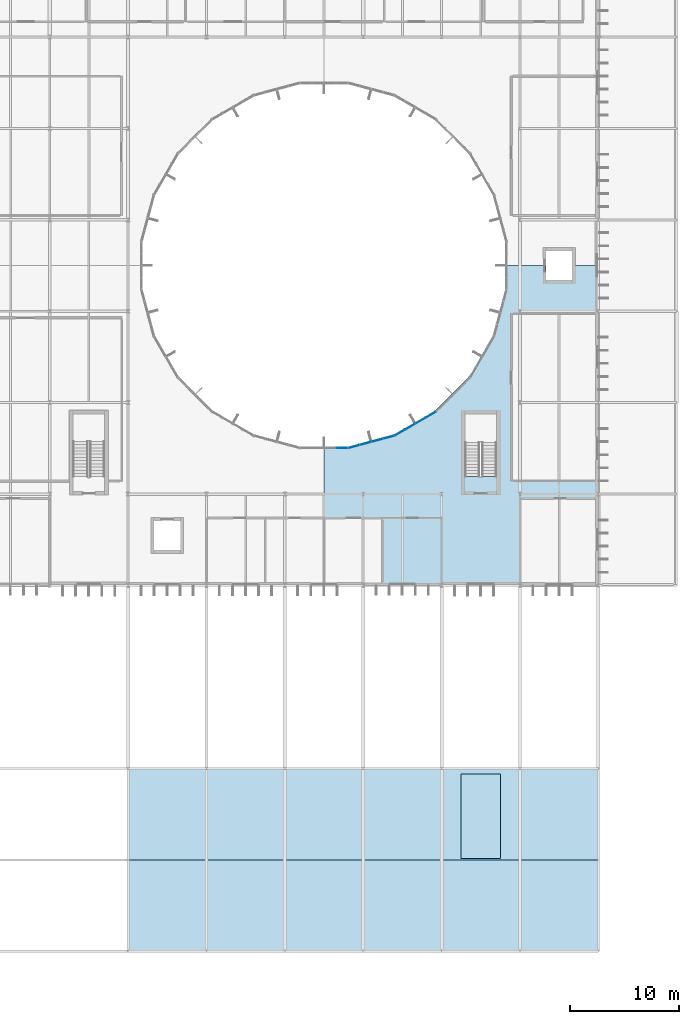
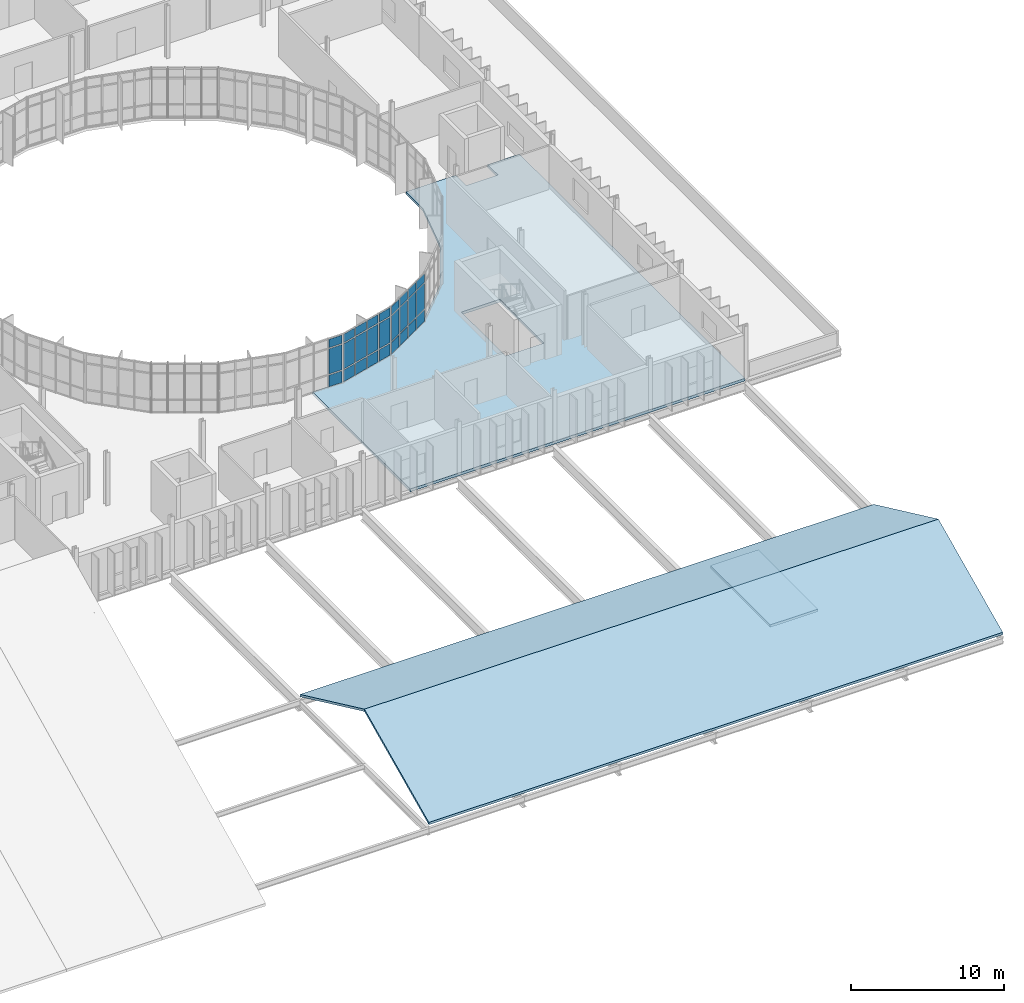
# One storey, part 66 of 99: 27 plates, 4 slabs, 3 elements without a shape of their own.
"""IFC4 building model written with IfcOpenShell, lengths in metres."""

from ifc_helpers import new_model, si_unit, direction, frame, origin, origin_2d, place, context, subcontext, project, spatial, polyline, rectangle, outline, extrude, material, layer, layer_set, type_object, element, aggregate, save


model = new_model("IFC4")

# Units and contexts
model_context = context("Model", 3, precision=1e-05, world=origin(), true_north=direction((0.0, 1.0)))
body_context = subcontext(model_context, "Body", "Model", "MODEL_VIEW")
ifc_project = project(units=[si_unit("LENGTHUNIT", "METRE"), si_unit("AREAUNIT", "SQUARE_METRE"), si_unit("VOLUMEUNIT", "CUBIC_METRE"), si_unit("PLANEANGLEUNIT", "RADIAN"), si_unit("MASSUNIT", "GRAM", prefix="KILO")], contexts=[model_context])

# Site, building, storey
site_placement = place(None, origin())
site = spatial("IfcSite", under=ifc_project, at=site_placement, CompositionType="ELEMENT")
building_placement = place(site_placement, origin())
building = spatial("IfcBuilding", under=site, at=building_placement, Name="Qelthora Terrace Specialist Clinic", CompositionType="ELEMENT")
storey_placement = place(building_placement, frame((0.0, 0.0, 9.0)))
storey = spatial("IfcBuildingStorey", under=building, at=storey_placement, Name="L02", CompositionType="ELEMENT", Elevation=9.0)

# Curtain wall, plates
ifc_material_1 = material(Name="Aluminium anodized bronze", Category="aluminium")
curtain_wall_type = type_object("IfcCurtainWallType", Name="CW-CRTE-UPP", PredefinedType="NOTDEFINED", material=ifc_material_1)
curtain_wall_1_placement = place(storey_placement, origin())
curtain_wall_1 = element("IfcCurtainWall", 1, at=curtain_wall_1_placement, inside=storey, type_object=curtain_wall_type, Name="Curtain wall CW-CE-L02-18", PredefinedType="NOTDEFINED")
ifc_material_2 = material(Name="Low-E triple-silver insulating glass", Category="glass")
ifc_layer_1 = layer(ifc_material_2, 0.035888671875)
ifc_layer_set_1 = layer_set([ifc_layer_1], Name="Low-E triple-silver insulating glass")
plate_type = type_object("IfcPlateType", Name="CWP-IGU-36", PredefinedType="CURTAIN_PANEL", material=ifc_layer_set_1)
plate_1_placement = place(storey_placement, frame((127.64453125, 46.2236328125, 0.0849609375), z_axis=(0.0, 0.0, 1.0), x_axis=(1.0, 0.0, 0.0)))
plate_1 = element("IfcPlate", 2, at=plate_1_placement, type_object=plate_type, Name="CW-CE-L02-18 glazed panel 10", PredefinedType="CURTAIN_PANEL", context=body_context, shape_type="SweptSolid", body=[
    extrude(rectangle(XDim=0.996337890625, YDim=0.035888671875, at=origin_2d()), origin(), (0.0, 0.0, 1.0), 0.919921875),
])
plate_2_placement = place(storey_placement, frame((127.64453125, 46.2236328125, 1.094970703125), z_axis=(0.0, 0.0, 1.0), x_axis=(1.0, 0.0, 0.0)))
plate_2 = element("IfcPlate", 3, at=plate_2_placement, type_object=plate_type, Name="CW-CE-L02-18 glazed panel 11", PredefinedType="CURTAIN_PANEL", context=body_context, shape_type="SweptSolid", body=[
    extrude(rectangle(XDim=0.996337890625, YDim=0.035888671875, at=origin_2d()), origin(), (0.0, 0.0, 1.0), 2.0048828125),
])
plate_3_placement = place(storey_placement, frame((127.64453125, 46.2236328125, 3.18994140625), z_axis=(0.0, 0.0, 1.0), x_axis=(1.0, 0.0, 0.0)))
plate_3 = element("IfcPlate", 4, at=plate_3_placement, type_object=plate_type, Name="CW-CE-L02-18 glazed panel 12", PredefinedType="CURTAIN_PANEL", context=body_context, shape_type="SweptSolid", body=[
    extrude(rectangle(XDim=0.996337890625, YDim=0.035888671875, at=origin_2d()), origin(), (0.0, 0.0, 1.0), 0.669921875),
])
aggregate(curtain_wall_1, [plate_1, plate_2, plate_3])

curtain_wall_2_placement = place(storey_placement, origin())
curtain_wall_2 = element("IfcCurtainWall", 5, at=curtain_wall_2_placement, inside=storey, type_object=curtain_wall_type, Name="Curtain wall CW-CE-L02-19", PredefinedType="NOTDEFINED")
plate_4_placement = place(storey_placement, frame((128.75341796875, 46.36962890625, 0.0849609375), z_axis=(0.0, 0.0, 1.0), x_axis=(0.965925826289, 0.258819045103, 0.0)))
plate_4 = element("IfcPlate", 6, at=plate_4_placement, type_object=plate_type, Name="CW-CE-L02-19 glazed panel 1", PredefinedType="CURTAIN_PANEL", context=body_context, shape_type="SweptSolid", body=[
    extrude(rectangle(XDim=0.996337890625, YDim=0.035888671875, at=origin_2d()), origin(), (0.0, 0.0, 1.0), 0.919921875),
])
plate_5_placement = place(storey_placement, frame((128.75341796875, 46.36962890625, 1.094970703125), z_axis=(0.0, 0.0, 1.0), x_axis=(0.965925826289, 0.258819045103, 0.0)))
plate_5 = element("IfcPlate", 7, at=plate_5_placement, type_object=plate_type, Name="CW-CE-L02-19 glazed panel 2", PredefinedType="CURTAIN_PANEL", context=body_context, shape_type="SweptSolid", body=[
    extrude(rectangle(XDim=0.996337890625, YDim=0.035888671875, at=origin_2d()), origin(), (0.0, 0.0, 1.0), 2.0048828125),
])
plate_6_placement = place(storey_placement, frame((128.75341796875, 46.36962890625, 3.18994140625), z_axis=(0.0, 0.0, 1.0), x_axis=(0.965925826289, 0.258819045103, 0.0)))
plate_6 = element("IfcPlate", 8, at=plate_6_placement, type_object=plate_type, Name="CW-CE-L02-19 glazed panel 3", PredefinedType="CURTAIN_PANEL", context=body_context, shape_type="SweptSolid", body=[
    extrude(rectangle(XDim=0.996337890625, YDim=0.035888671875, at=origin_2d()), origin(), (0.0, 0.0, 1.0), 0.669921875),
])
plate_7_placement = place(storey_placement, frame((129.8125, 46.653564453125, 0.0849609375), z_axis=(0.0, 0.0, 1.0), x_axis=(0.965925826289, 0.258819045103, 0.0)))
plate_7 = element("IfcPlate", 9, at=plate_7_placement, type_object=plate_type, Name="CW-CE-L02-19 glazed panel 4", PredefinedType="CURTAIN_PANEL", context=body_context, shape_type="SweptSolid", body=[
    extrude(rectangle(XDim=0.996337890625, YDim=0.035888671875, at=origin_2d()), origin(), (0.0, 0.0, 1.0), 0.919921875),
])
plate_8_placement = place(storey_placement, frame((129.8125, 46.653564453125, 1.094970703125), z_axis=(0.0, 0.0, 1.0), x_axis=(0.965925826289, 0.258819045103, 0.0)))
plate_8 = element("IfcPlate", 10, at=plate_8_placement, type_object=plate_type, Name="CW-CE-L02-19 glazed panel 5", PredefinedType="CURTAIN_PANEL", context=body_context, shape_type="SweptSolid", body=[
    extrude(rectangle(XDim=0.996337890625, YDim=0.035888671875, at=origin_2d()), origin(), (0.0, 0.0, 1.0), 2.0048828125),
])
plate_9_placement = place(storey_placement, frame((129.8125, 46.653564453125, 3.18994140625), z_axis=(0.0, 0.0, 1.0), x_axis=(0.965925826289, 0.258819045103, 0.0)))
plate_9 = element("IfcPlate", 11, at=plate_9_placement, type_object=plate_type, Name="CW-CE-L02-19 glazed panel 6", PredefinedType="CURTAIN_PANEL", context=body_context, shape_type="SweptSolid", body=[
    extrude(rectangle(XDim=0.996337890625, YDim=0.035888671875, at=origin_2d()), origin(), (0.0, 0.0, 1.0), 0.669921875),
])
plate_10_placement = place(storey_placement, frame((130.87158203125, 46.937255859375, 0.0849609375), z_axis=(0.0, 0.0, 1.0), x_axis=(0.965925826289, 0.258819045103, 0.0)))
plate_10 = element("IfcPlate", 12, at=plate_10_placement, type_object=plate_type, Name="CW-CE-L02-19 glazed panel 7", PredefinedType="CURTAIN_PANEL", context=body_context, shape_type="SweptSolid", body=[
    extrude(rectangle(XDim=0.996337890625, YDim=0.035888671875, at=origin_2d()), origin(), (0.0, 0.0, 1.0), 0.919921875),
])
plate_11_placement = place(storey_placement, frame((130.87158203125, 46.937255859375, 1.094970703125), z_axis=(0.0, 0.0, 1.0), x_axis=(0.965925826289, 0.258819045103, 0.0)))
plate_11 = element("IfcPlate", 13, at=plate_11_placement, type_object=plate_type, Name="CW-CE-L02-19 glazed panel 8", PredefinedType="CURTAIN_PANEL", context=body_context, shape_type="SweptSolid", body=[
    extrude(rectangle(XDim=0.996337890625, YDim=0.035888671875, at=origin_2d()), origin(), (0.0, 0.0, 1.0), 2.0048828125),
])
plate_12_placement = place(storey_placement, frame((130.87158203125, 46.937255859375, 3.18994140625), z_axis=(0.0, 0.0, 1.0), x_axis=(0.965925826289, 0.258819045103, 0.0)))
plate_12 = element("IfcPlate", 14, at=plate_12_placement, type_object=plate_type, Name="CW-CE-L02-19 glazed panel 9", PredefinedType="CURTAIN_PANEL", context=body_context, shape_type="SweptSolid", body=[
    extrude(rectangle(XDim=0.996337890625, YDim=0.035888671875, at=origin_2d()), origin(), (0.0, 0.0, 1.0), 0.669921875),
])
plate_13_placement = place(storey_placement, frame((131.9306640625, 47.220947265625, 0.0849609375), z_axis=(0.0, 0.0, 1.0), x_axis=(0.965925826289, 0.258819045103, 0.0)))
plate_13 = element("IfcPlate", 15, at=plate_13_placement, type_object=plate_type, Name="CW-CE-L02-19 glazed panel 10", PredefinedType="CURTAIN_PANEL", context=body_context, shape_type="SweptSolid", body=[
    extrude(rectangle(XDim=0.996337890625, YDim=0.035888671875, at=origin_2d()), origin(), (0.0, 0.0, 1.0), 0.919921875),
])
plate_14_placement = place(storey_placement, frame((131.9306640625, 47.220947265625, 1.094970703125), z_axis=(0.0, 0.0, 1.0), x_axis=(0.965925826289, 0.258819045103, 0.0)))
plate_14 = element("IfcPlate", 16, at=plate_14_placement, type_object=plate_type, Name="CW-CE-L02-19 glazed panel 11", PredefinedType="CURTAIN_PANEL", context=body_context, shape_type="SweptSolid", body=[
    extrude(rectangle(XDim=0.996337890625, YDim=0.035888671875, at=origin_2d()), origin(), (0.0, 0.0, 1.0), 2.0048828125),
])
plate_15_placement = place(storey_placement, frame((131.9306640625, 47.220947265625, 3.18994140625), z_axis=(0.0, 0.0, 1.0), x_axis=(0.965925826289, 0.258819045103, 0.0)))
plate_15 = element("IfcPlate", 17, at=plate_15_placement, type_object=plate_type, Name="CW-CE-L02-19 glazed panel 12", PredefinedType="CURTAIN_PANEL", context=body_context, shape_type="SweptSolid", body=[
    extrude(rectangle(XDim=0.996337890625, YDim=0.035888671875, at=origin_2d()), origin(), (0.0, 0.0, 1.0), 0.669921875),
])
aggregate(curtain_wall_2, [plate_4, plate_5, plate_6, plate_7, plate_8, plate_9, plate_10, plate_11, plate_12, plate_13, plate_14, plate_15])

curtain_wall_3_placement = place(storey_placement, origin())
curtain_wall_3 = element("IfcCurtainWall", 18, at=curtain_wall_3_placement, inside=storey, type_object=curtain_wall_type, Name="Curtain wall CW-CE-L02-20", PredefinedType="NOTDEFINED")
plate_16_placement = place(storey_placement, frame((132.9638671875, 47.64892578125, 0.0849609375), z_axis=(0.0, 0.0, 1.0), x_axis=(0.866025403784, 0.5, 0.0)))
plate_16 = element("IfcPlate", 19, at=plate_16_placement, type_object=plate_type, Name="CW-CE-L02-20 glazed panel 1", PredefinedType="CURTAIN_PANEL", context=body_context, shape_type="SweptSolid", body=[
    extrude(rectangle(XDim=0.996337890625, YDim=0.035888671875, at=origin_2d()), origin(), (0.0, 0.0, 1.0), 0.919921875),
])
plate_17_placement = place(storey_placement, frame((132.9638671875, 47.64892578125, 1.094970703125), z_axis=(0.0, 0.0, 1.0), x_axis=(0.866025403784, 0.5, 0.0)))
plate_17 = element("IfcPlate", 20, at=plate_17_placement, type_object=plate_type, Name="CW-CE-L02-20 glazed panel 2", PredefinedType="CURTAIN_PANEL", context=body_context, shape_type="SweptSolid", body=[
    extrude(rectangle(XDim=0.996337890625, YDim=0.035888671875, at=origin_2d()), origin(), (0.0, 0.0, 1.0), 2.0048828125),
])
plate_18_placement = place(storey_placement, frame((132.9638671875, 47.64892578125, 3.18994140625), z_axis=(0.0, 0.0, 1.0), x_axis=(0.866025403784, 0.5, 0.0)))
plate_18 = element("IfcPlate", 21, at=plate_18_placement, type_object=plate_type, Name="CW-CE-L02-20 glazed panel 3", PredefinedType="CURTAIN_PANEL", context=body_context, shape_type="SweptSolid", body=[
    extrude(rectangle(XDim=0.996337890625, YDim=0.035888671875, at=origin_2d()), origin(), (0.0, 0.0, 1.0), 0.669921875),
])
plate_19_placement = place(storey_placement, frame((133.913330078125, 48.197265625, 0.0849609375), z_axis=(0.0, 0.0, 1.0), x_axis=(0.866025403784, 0.5, 0.0)))
plate_19 = element("IfcPlate", 22, at=plate_19_placement, type_object=plate_type, Name="CW-CE-L02-20 glazed panel 4", PredefinedType="CURTAIN_PANEL", context=body_context, shape_type="SweptSolid", body=[
    extrude(rectangle(XDim=0.996337890625, YDim=0.035888671875, at=origin_2d()), origin(), (0.0, 0.0, 1.0), 0.919921875),
])
plate_20_placement = place(storey_placement, frame((133.913330078125, 48.197265625, 1.094970703125), z_axis=(0.0, 0.0, 1.0), x_axis=(0.866025403784, 0.5, 0.0)))
plate_20 = element("IfcPlate", 23, at=plate_20_placement, type_object=plate_type, Name="CW-CE-L02-20 glazed panel 5", PredefinedType="CURTAIN_PANEL", context=body_context, shape_type="SweptSolid", body=[
    extrude(rectangle(XDim=0.996337890625, YDim=0.035888671875, at=origin_2d()), origin(), (0.0, 0.0, 1.0), 2.0048828125),
])
plate_21_placement = place(storey_placement, frame((133.913330078125, 48.197265625, 3.18994140625), z_axis=(0.0, 0.0, 1.0), x_axis=(0.866025403784, 0.5, 0.0)))
plate_21 = element("IfcPlate", 24, at=plate_21_placement, type_object=plate_type, Name="CW-CE-L02-20 glazed panel 6", PredefinedType="CURTAIN_PANEL", context=body_context, shape_type="SweptSolid", body=[
    extrude(rectangle(XDim=0.996337890625, YDim=0.035888671875, at=origin_2d()), origin(), (0.0, 0.0, 1.0), 0.669921875),
])
plate_22_placement = place(storey_placement, frame((134.86279296875, 48.745361328125, 0.0849609375), z_axis=(0.0, 0.0, 1.0), x_axis=(0.866025403784, 0.5, 0.0)))
plate_22 = element("IfcPlate", 25, at=plate_22_placement, type_object=plate_type, Name="CW-CE-L02-20 glazed panel 7", PredefinedType="CURTAIN_PANEL", context=body_context, shape_type="SweptSolid", body=[
    extrude(rectangle(XDim=0.996337890625, YDim=0.035888671875, at=origin_2d()), origin(), (0.0, 0.0, 1.0), 0.919921875),
])
plate_23_placement = place(storey_placement, frame((134.86279296875, 48.745361328125, 1.094970703125), z_axis=(0.0, 0.0, 1.0), x_axis=(0.866025403784, 0.5, 0.0)))
plate_23 = element("IfcPlate", 26, at=plate_23_placement, type_object=plate_type, Name="CW-CE-L02-20 glazed panel 8", PredefinedType="CURTAIN_PANEL", context=body_context, shape_type="SweptSolid", body=[
    extrude(rectangle(XDim=0.996337890625, YDim=0.035888671875, at=origin_2d()), origin(), (0.0, 0.0, 1.0), 2.0048828125),
])
plate_24_placement = place(storey_placement, frame((134.86279296875, 48.745361328125, 3.18994140625), z_axis=(0.0, 0.0, 1.0), x_axis=(0.866025403784, 0.5, 0.0)))
plate_24 = element("IfcPlate", 27, at=plate_24_placement, type_object=plate_type, Name="CW-CE-L02-20 glazed panel 9", PredefinedType="CURTAIN_PANEL", context=body_context, shape_type="SweptSolid", body=[
    extrude(rectangle(XDim=0.996337890625, YDim=0.035888671875, at=origin_2d()), origin(), (0.0, 0.0, 1.0), 0.669921875),
])
plate_25_placement = place(storey_placement, frame((135.8125, 49.293701171875, 0.0849609375), z_axis=(0.0, 0.0, 1.0), x_axis=(0.866025403784, 0.5, 0.0)))
plate_25 = element("IfcPlate", 28, at=plate_25_placement, type_object=plate_type, Name="CW-CE-L02-20 glazed panel 10", PredefinedType="CURTAIN_PANEL", context=body_context, shape_type="SweptSolid", body=[
    extrude(rectangle(XDim=0.996337890625, YDim=0.035888671875, at=origin_2d()), origin(), (0.0, 0.0, 1.0), 0.919921875),
])
plate_26_placement = place(storey_placement, frame((135.8125, 49.293701171875, 1.094970703125), z_axis=(0.0, 0.0, 1.0), x_axis=(0.866025403784, 0.5, 0.0)))
plate_26 = element("IfcPlate", 29, at=plate_26_placement, type_object=plate_type, Name="CW-CE-L02-20 glazed panel 11", PredefinedType="CURTAIN_PANEL", context=body_context, shape_type="SweptSolid", body=[
    extrude(rectangle(XDim=0.996337890625, YDim=0.035888671875, at=origin_2d()), origin(), (0.0, 0.0, 1.0), 2.0048828125),
])
plate_27_placement = place(storey_placement, frame((135.8125, 49.293701171875, 3.18994140625), z_axis=(0.0, 0.0, 1.0), x_axis=(0.866025403784, 0.5, 0.0)))
plate_27 = element("IfcPlate", 30, at=plate_27_placement, type_object=plate_type, Name="CW-CE-L02-20 glazed panel 12", PredefinedType="CURTAIN_PANEL", context=body_context, shape_type="SweptSolid", body=[
    extrude(rectangle(XDim=0.996337890625, YDim=0.035888671875, at=origin_2d()), origin(), (0.0, 0.0, 1.0), 0.669921875),
])
aggregate(curtain_wall_3, [plate_16, plate_17, plate_18, plate_19, plate_20, plate_21, plate_22, plate_23, plate_24, plate_25, plate_26, plate_27])

# Slabs
ifc_material_3 = material(Name="Concrete C30/37", Category="concrete")
ifc_layer_2 = layer(ifc_material_3, 0.219970703125)
ifc_layer_set_2 = layer_set([ifc_layer_2], Name="Concrete C30/37")
slab_type_1 = type_object("IfcSlabType", Name="SLB-FLR-220-C30", PredefinedType="FLOOR", material=ifc_layer_set_2)
slab_1_placement = place(storey_placement, frame((0.0, 0.0, -0.219970703125)))
element("IfcSlab", 31, at=slab_1_placement, inside=storey, type_object=slab_type_1, Name="L02 V4 slab SLB-L02-V4-2A", PredefinedType="FLOOR", context=body_context, shape_type="SweptSolid", body=[
    extrude(outline(polyline([(151.199951171875, 33.60009765625), (126.0, 33.60009765625), (126.0, 46.34375), (128.19287109375, 46.34375), (132.42919921875, 47.478759765625), (136.227294921875, 49.671630859375), (139.328369140625, 52.772705078125), (141.521240234375, 56.57080078125), (142.65625, 60.80712890625), (142.65625, 63.0), (146.39990234375, 63.0), (146.39990234375, 61.64990234375), (148.800048828125, 61.64990234375), (148.800048828125, 63.0), (151.199951171875, 63.0), (151.199951171875, 33.60009765625)]), holes=[polyline([(141.85009765625, 43.6005859375), (141.85009765625, 49.35009765625), (138.949951171875, 49.35009765625), (138.949951171875, 43.6005859375), (141.85009765625, 43.6005859375)])]), origin(), (0.0, 0.0, 1.0), 0.219970703125),
])
ifc_layer_3 = layer(ifc_material_3, 0.22509765625)
ifc_layer_set_3 = layer_set([ifc_layer_3], Name="Concrete C30/37")
slab_type_2 = type_object("IfcSlabType", Name="SLB-ROOF-170-ZINC", PredefinedType="ROOF", material=ifc_layer_set_3)
slab_2_placement = place(storey_placement, frame((108.0, 0.0, -0.03759765625), z_axis=(0.0, -0.422904209214, 0.906174392614), x_axis=(1.0, 0.0, 0.0)))
element("IfcSlab", 32, at=slab_2_placement, inside=storey, type_object=slab_type_2, Name="V3 conservatory south pitched roof", PredefinedType="ROOF", context=body_context, shape_type="SweptSolid", body=[
    extrude(outline(polyline([(0.0, 0.0), (43.199951171875, 0.0), (43.199951171875, 9.269631113188805), (0.0, 9.269631113188805), (0.0, 0.0)])), origin(), (0.0, 0.422904209214, 0.906174392614), 0.1875),
])
slab_3_placement = place(storey_placement, frame((108.0, 8.39990234375, 3.882568359375), z_axis=(0.0, 0.42289411617, 0.906179102887), x_axis=(1.0, 0.0, 0.0)))
element("IfcSlab", 33, at=slab_3_placement, inside=storey, type_object=slab_type_2, Name="V3 conservatory north pitched roof", PredefinedType="ROOF", context=body_context, shape_type="SweptSolid", body=[
    extrude(outline(polyline([(0.0, 0.0), (43.199951171875, 0.0), (43.199951171875, 9.269852347746367), (0.0, 9.269852347746367), (0.0, 0.0)])), origin(), (0.0, -0.42289411617, 0.906179102887), 0.1875),
])
ifc_material_4 = material(Name="Concrete C40/50", Category="concrete")
ifc_layer_4 = layer(ifc_material_4, 0.199951171875)
ifc_layer_set_4 = layer_set([ifc_layer_4], Name="Concrete C40/50")
slab_type_3 = type_object("IfcSlabType", Name="SLB-SHAFTR-200-C40", PredefinedType="ROOF", material=ifc_layer_set_4)
slab_4_placement = place(storey_placement, frame((0.0, 0.0, -0.199951171875)))
element("IfcSlab", 34, at=slab_4_placement, inside=storey, type_object=slab_type_3, Name="ST-08 core roof slab", PredefinedType="ROOF", context=body_context, shape_type="SweptSolid", body=[
    extrude(outline(polyline([(138.60009765625, 8.5), (142.199951171875, 8.5), (142.199951171875, 16.300048828125), (138.60009765625, 16.300048828125), (138.60009765625, 8.5)])), origin(), (0.0, 0.0, 1.0), 0.199951171875),
])

save(model, "model.ifc")
